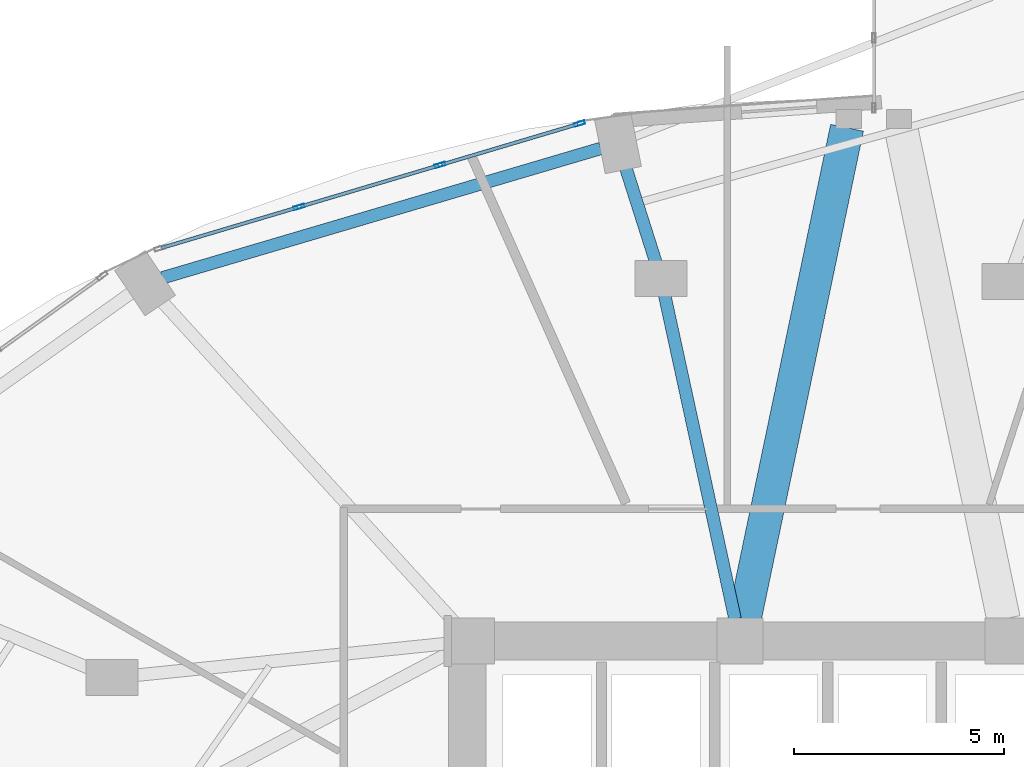
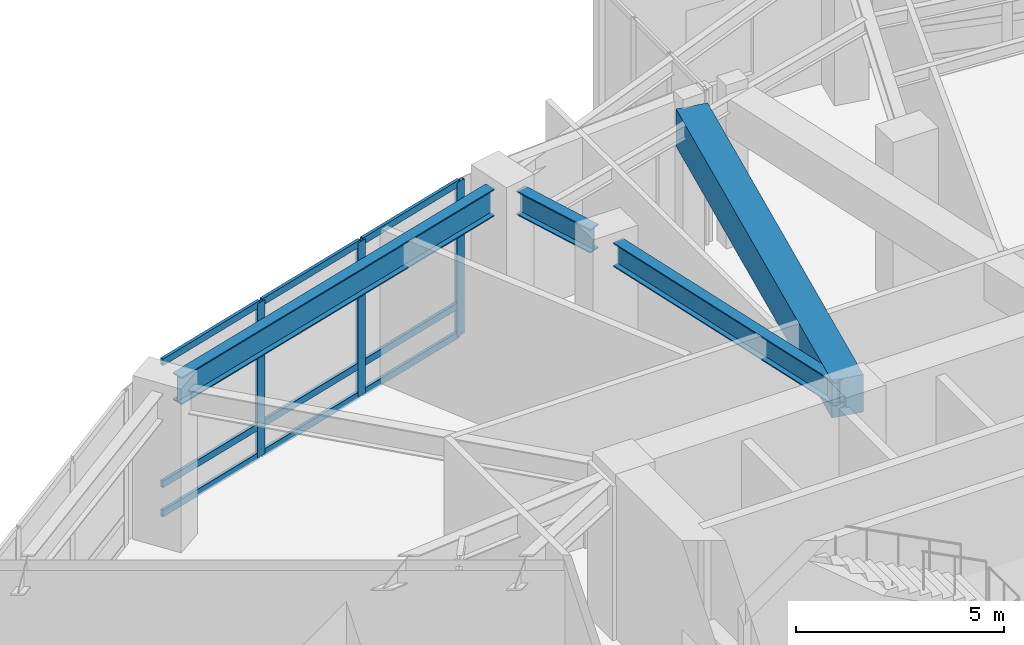
# One storey, part 14 of 24: 12 members, 4 beams, 1 element without a shape of its own.
"""IFC4 building model written with IfcOpenShell, lengths in metres."""

from ifc_helpers import new_model, si_unit, direction, frame, origin, origin_2d, place, context, subcontext, project, spatial, rectangle, hollow_rectangle, i_section, extrude, material, layer, layer_set, material_profile, profile_set, type_object, element, aggregate, save


model = new_model("IFC4")

# Units and contexts
model_context = context("Model", 3, precision=1e-05, world=origin(), true_north=direction((0.0, 1.0)))
body_context = subcontext(model_context, "Body", "Model", "MODEL_VIEW")
ifc_project = project(units=[si_unit("LENGTHUNIT", "METRE"), si_unit("AREAUNIT", "SQUARE_METRE"), si_unit("VOLUMEUNIT", "CUBIC_METRE"), si_unit("PLANEANGLEUNIT", "RADIAN"), si_unit("MASSUNIT", "GRAM", prefix="KILO")], contexts=[model_context])

# Site, building, storey
site_placement = place(None, origin())
site = spatial("IfcSite", under=ifc_project, at=site_placement, CompositionType="ELEMENT")
building_placement = place(site_placement, origin())
building = spatial("IfcBuilding", under=site, at=building_placement, Name="Lazwardi Medical Tower", CompositionType="ELEMENT")
storey_placement = place(building_placement, frame((0.0, 0.0, 6.0)))
storey = spatial("IfcBuildingStorey", under=building, at=storey_placement, Name="L01", CompositionType="ELEMENT", Elevation=6.0)

# Beams
ifc_material_1 = material(Name="Concrete C70/85", Category="concrete")
ifc_material_profile_1 = material_profile(ifc_material_1, rectangle(XDim=0.800048828125, YDim=1.10009765625, at=origin_2d()), Name="RC 800x1100")
ifc_profile_set_1 = profile_set([ifc_material_profile_1], Name="Concrete C70/85")
beam_type_1 = type_object("IfcBeamType", Name="BM-CB-RC1", PredefinedType="LINTEL", material=ifc_profile_set_1)
beam_1_placement = place(storey_placement, frame((32.909423828125, 36.123779296875, 3.969970703125), z_axis=(0.204429747009, 0.978881238219, 0.0), x_axis=(-0.978881238219, 0.204429747009, 0.0)))
element("IfcBeam", 1, at=beam_1_placement, inside=storey, type_object=beam_type_1, Name="Core coupling lintel CB-01 PL1 L01", PredefinedType="LINTEL", context=body_context, shape_type="SweptSolid", body=[
    extrude(rectangle(XDim=0.800048828125, YDim=1.10009765625, at=origin_2d()), origin(), (0.0, 0.0, 1.0), 11.9736328125),
])
ifc_material_2 = material(Name="Steel S355", Category="steel")
ifc_material_profile_2 = material_profile(ifc_material_2, i_section(OverallWidth=0.300048828125, OverallDepth=0.800048828125, WebThickness=0.017578125, FlangeThickness=0.032958984375, at=origin_2d()), Name="HEB 800")
ifc_profile_set_2 = profile_set([ifc_material_profile_2], Name="Steel S355")
beam_type_2 = type_object("IfcBeamType", Name="BM-RB-P1", PredefinedType="BEAM", material=ifc_profile_set_2)
beam_2_placement = place(storey_placement, frame((29.481201171875, 47.349853515625, 4.1201171875), z_axis=(-0.959103395471, -0.283055960537, 0.0), x_axis=(0.283055960537, -0.959103395471, 0.0)))
element("IfcBeam", 2, at=beam_2_placement, inside=storey, type_object=beam_type_2, Name="Ring beam RB-01 B09 L01", PredefinedType="BEAM", context=body_context, shape_type="SweptSolid", body=[
    extrude(i_section(OverallWidth=0.300048828125, OverallDepth=0.800048828125, WebThickness=0.017578125, FlangeThickness=0.032958984375, at=origin_2d()), origin(), (0.0, 0.0, 1.0), 10.904052734375),
])
ifc_material_profile_3 = material_profile(ifc_material_2, i_section(OverallWidth=0.300048828125, OverallDepth=0.699951171875, WebThickness=0.01708984375, FlangeThickness=0.031982421875, at=origin_2d()), Name="HEB 700")
ifc_profile_set_3 = profile_set([ifc_material_profile_3], Name="Steel S355")
beam_type_3 = type_object("IfcBeamType", Name="BM-RG-P1", PredefinedType="BEAM", material=ifc_profile_set_3)
beam_3_placement = place(storey_placement, frame((30.06982421875, 46.9189453125, 4.169921875), z_axis=(0.303510012158, -0.952828249224, 0.0), x_axis=(0.952828249224, 0.303510012158, 0.0)))
element("IfcBeam", 3, at=beam_3_placement, inside=storey, type_object=beam_type_3, Name="Radial girder RG-01 R09A L01", PredefinedType="BEAM", context=body_context, shape_type="SweptSolid", body=[
    extrude(i_section(OverallWidth=0.300048828125, OverallDepth=0.699951171875, WebThickness=0.01708984375, FlangeThickness=0.031982421875, at=origin_2d()), origin(), (0.0, 0.0, 1.0), 2.401123046875),
])
beam_4_placement = place(storey_placement, frame((31.0048828125, 43.859130859375, 4.169921875), z_axis=(0.212379713587, -0.977187217096, 0.0), x_axis=(0.977187217096, 0.212379713587, 0.0)))
element("IfcBeam", 4, at=beam_4_placement, inside=storey, type_object=beam_type_3, Name="Radial girder RG-01 R09B L01", PredefinedType="BEAM", context=body_context, shape_type="SweptSolid", body=[
    extrude(i_section(OverallWidth=0.300048828125, OverallDepth=0.699951171875, WebThickness=0.01708984375, FlangeThickness=0.031982421875, at=origin_2d()), origin(), (0.0, 0.0, 1.0), 7.9169921875),
])

# Curtain wall, members
ifc_material_3 = material(Name="Anodised bronze aluminium and solar control glazing", Category="aluminium")
ifc_layer = layer(ifc_material_3, 0.219970703125)
ifc_layer_set = layer_set([ifc_layer], Name="Anodised bronze aluminium and solar control glazing")
curtain_wall_type = type_object("IfcCurtainWallType", Name="CW-SYS-01", PredefinedType="NOTDEFINED", material=ifc_layer_set)
curtain_wall_placement = place(storey_placement, origin())
curtain_wall = element("IfcCurtainWall", 5, at=curtain_wall_placement, inside=storey, type_object=curtain_wall_type, Name="L01 Unitised bronze curtain wall CW-01", PredefinedType="NOTDEFINED")
ifc_material_4 = material(Name="Anodised bronze aluminium", Category="aluminium")
ifc_material_profile_4 = material_profile(ifc_material_4, hollow_rectangle(XDim=0.0849609375, YDim=0.260009765625, WallThickness=0.0048828125, at=origin_2d()), Name="ALU-MULLION 260x85x5")
ifc_profile_set_4 = profile_set([ifc_material_profile_4], Name="Anodised bronze aluminium")
member_type_1 = type_object("IfcMemberType", Name="CW-MUL-02", PredefinedType="MULLION", material=ifc_profile_set_4)
member_1_placement = place(storey_placement, frame((28.97119140625, 47.94189453125, 0.0), z_axis=(0.0, 0.0, 1.0), x_axis=(0.285047195531, -0.958513482597, 0.0)))
member_1 = element("IfcMember", 6, at=member_1_placement, type_object=member_type_1, Name="CW-01 mullion 1", PredefinedType="MULLION", context=body_context, shape_type="SweptSolid", body=[
    extrude(hollow_rectangle(XDim=0.0849609375, YDim=0.260009765625, WallThickness=0.0048828125, at=origin_2d()), origin(), (0.0, 0.0, 1.0), 4.52001953125),
])
member_2_placement = place(storey_placement, frame((25.649658203125, 46.9541015625, 0.0), z_axis=(0.0, 0.0, 1.0), x_axis=(0.285047195531, -0.958513482597, 0.0)))
member_2 = element("IfcMember", 7, at=member_2_placement, type_object=member_type_1, Name="CW-01 mullion 2", PredefinedType="MULLION", context=body_context, shape_type="SweptSolid", body=[
    extrude(hollow_rectangle(XDim=0.0849609375, YDim=0.260009765625, WallThickness=0.0048828125, at=origin_2d()), origin(), (0.0, 0.0, 1.0), 4.52001953125),
])
member_3_placement = place(storey_placement, frame((22.28759765625, 45.9541015625, 0.0), z_axis=(0.0, 0.0, 1.0), x_axis=(0.285047195531, -0.958513482597, 0.0)))
member_3 = element("IfcMember", 8, at=member_3_placement, type_object=member_type_1, Name="CW-01 mullion 3", PredefinedType="MULLION", context=body_context, shape_type="SweptSolid", body=[
    extrude(hollow_rectangle(XDim=0.0849609375, YDim=0.260009765625, WallThickness=0.0048828125, at=origin_2d()), origin(), (0.0, 0.0, 1.0), 4.52001953125),
])
ifc_material_profile_5 = material_profile(ifc_material_4, hollow_rectangle(XDim=0.0849609375, YDim=0.199951171875, WallThickness=0.00439453125, at=origin_2d()), Name="ALU-TRANSOM 200x85x4.5")
ifc_profile_set_5 = profile_set([ifc_material_profile_5], Name="Anodised bronze aluminium")
member_type_2 = type_object("IfcMemberType", Name="CW-TRN-02", PredefinedType="USERDEFINED", material=ifc_profile_set_5)
member_4_placement = place(storey_placement, frame((28.930419921875, 47.9296875, 0.04248046875), z_axis=(-0.958505424522, -0.285074290603, 0.0), x_axis=(0.285074290603, -0.958505424522, 0.0)))
member_4 = element("IfcMember", 9, at=member_4_placement, type_object=member_type_2, Name="CW-01 transom 1.1", ObjectType="TRANSOM", PredefinedType="USERDEFINED", context=body_context, shape_type="SweptSolid", body=[
    extrude(hollow_rectangle(XDim=0.0849609375, YDim=0.199951171875, WallThickness=0.00439453125, at=origin_2d()), origin(), (0.0, 0.0, 1.0), 3.38037109375),
])
member_5_placement = place(storey_placement, frame((28.930419921875, 47.9296875, 0.89990234375), z_axis=(-0.958505424522, -0.285074290603, 0.0), x_axis=(0.285074290603, -0.958505424522, 0.0)))
member_5 = element("IfcMember", 10, at=member_5_placement, type_object=member_type_2, Name="CW-01 transom 1.2", ObjectType="TRANSOM", PredefinedType="USERDEFINED", context=body_context, shape_type="SweptSolid", body=[
    extrude(hollow_rectangle(XDim=0.0849609375, YDim=0.199951171875, WallThickness=0.00439453125, at=origin_2d()), origin(), (0.0, 0.0, 1.0), 3.38037109375),
])
member_6_placement = place(storey_placement, frame((28.930419921875, 47.9296875, 4.4775390625), z_axis=(-0.958505424522, -0.285074290603, 0.0), x_axis=(0.285074290603, -0.958505424522, 0.0)))
member_6 = element("IfcMember", 11, at=member_6_placement, type_object=member_type_2, Name="CW-01 transom 1.3", ObjectType="TRANSOM", PredefinedType="USERDEFINED", context=body_context, shape_type="SweptSolid", body=[
    extrude(hollow_rectangle(XDim=0.0849609375, YDim=0.199951171875, WallThickness=0.00439453125, at=origin_2d()), origin(), (0.0, 0.0, 1.0), 3.38037109375),
])
member_7_placement = place(storey_placement, frame((25.60888671875, 46.94189453125, 0.04248046875), z_axis=(-0.958518450342, -0.285030490219, 0.0), x_axis=(0.285030490219, -0.958518450342, 0.0)))
member_7 = element("IfcMember", 12, at=member_7_placement, type_object=member_type_2, Name="CW-01 transom 2.1", ObjectType="TRANSOM", PredefinedType="USERDEFINED", context=body_context, shape_type="SweptSolid", body=[
    extrude(hollow_rectangle(XDim=0.0849609375, YDim=0.199951171875, WallThickness=0.00439453125, at=origin_2d()), origin(), (0.0, 0.0, 1.0), 3.4228515625),
])
member_8_placement = place(storey_placement, frame((25.60888671875, 46.94189453125, 0.89990234375), z_axis=(-0.958518450342, -0.285030490219, 0.0), x_axis=(0.285030490219, -0.958518450342, 0.0)))
member_8 = element("IfcMember", 13, at=member_8_placement, type_object=member_type_2, Name="CW-01 transom 2.2", ObjectType="TRANSOM", PredefinedType="USERDEFINED", context=body_context, shape_type="SweptSolid", body=[
    extrude(hollow_rectangle(XDim=0.0849609375, YDim=0.199951171875, WallThickness=0.00439453125, at=origin_2d()), origin(), (0.0, 0.0, 1.0), 3.4228515625),
])
member_9_placement = place(storey_placement, frame((25.60888671875, 46.94189453125, 4.4775390625), z_axis=(-0.958518450342, -0.285030490219, 0.0), x_axis=(0.285030490219, -0.958518450342, 0.0)))
member_9 = element("IfcMember", 14, at=member_9_placement, type_object=member_type_2, Name="CW-01 transom 2.3", ObjectType="TRANSOM", PredefinedType="USERDEFINED", context=body_context, shape_type="SweptSolid", body=[
    extrude(hollow_rectangle(XDim=0.0849609375, YDim=0.199951171875, WallThickness=0.00439453125, at=origin_2d()), origin(), (0.0, 0.0, 1.0), 3.4228515625),
])
member_10_placement = place(storey_placement, frame((22.246826171875, 45.942138671875, 0.04248046875), z_axis=(-0.958505424522, -0.285074290603, 0.0), x_axis=(0.285074290603, -0.958505424522, 0.0)))
member_10 = element("IfcMember", 15, at=member_10_placement, type_object=member_type_2, Name="CW-01 transom 3.1", ObjectType="TRANSOM", PredefinedType="USERDEFINED", context=body_context, shape_type="SweptSolid", body=[
    extrude(hollow_rectangle(XDim=0.0849609375, YDim=0.199951171875, WallThickness=0.00439453125, at=origin_2d()), origin(), (0.0, 0.0, 1.0), 3.38037109375),
])
member_11_placement = place(storey_placement, frame((22.246826171875, 45.942138671875, 0.89990234375), z_axis=(-0.958505424522, -0.285074290603, 0.0), x_axis=(0.285074290603, -0.958505424522, 0.0)))
member_11 = element("IfcMember", 16, at=member_11_placement, type_object=member_type_2, Name="CW-01 transom 3.2", ObjectType="TRANSOM", PredefinedType="USERDEFINED", context=body_context, shape_type="SweptSolid", body=[
    extrude(hollow_rectangle(XDim=0.0849609375, YDim=0.199951171875, WallThickness=0.00439453125, at=origin_2d()), origin(), (0.0, 0.0, 1.0), 3.38037109375),
])
member_12_placement = place(storey_placement, frame((22.246826171875, 45.942138671875, 4.4775390625), z_axis=(-0.958505424522, -0.285074290603, 0.0), x_axis=(0.285074290603, -0.958505424522, 0.0)))
member_12 = element("IfcMember", 17, at=member_12_placement, type_object=member_type_2, Name="CW-01 transom 3.3", ObjectType="TRANSOM", PredefinedType="USERDEFINED", context=body_context, shape_type="SweptSolid", body=[
    extrude(hollow_rectangle(XDim=0.0849609375, YDim=0.199951171875, WallThickness=0.00439453125, at=origin_2d()), origin(), (0.0, 0.0, 1.0), 3.38037109375),
])
aggregate(curtain_wall, [member_1, member_2, member_3, member_4, member_5, member_6, member_7, member_8, member_9, member_10, member_11, member_12])

save(model, "model.ifc")
